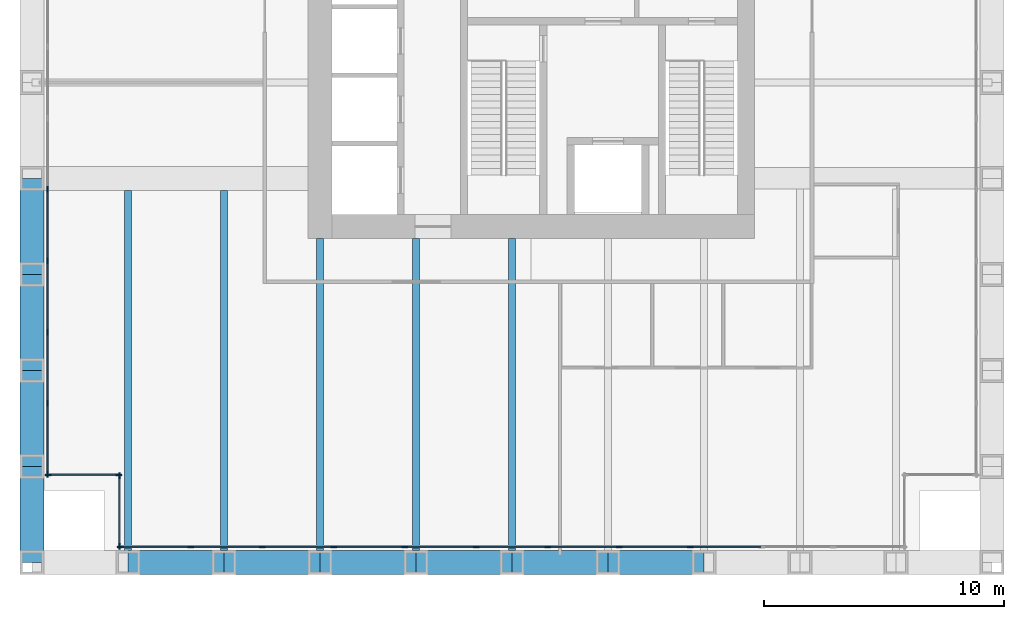
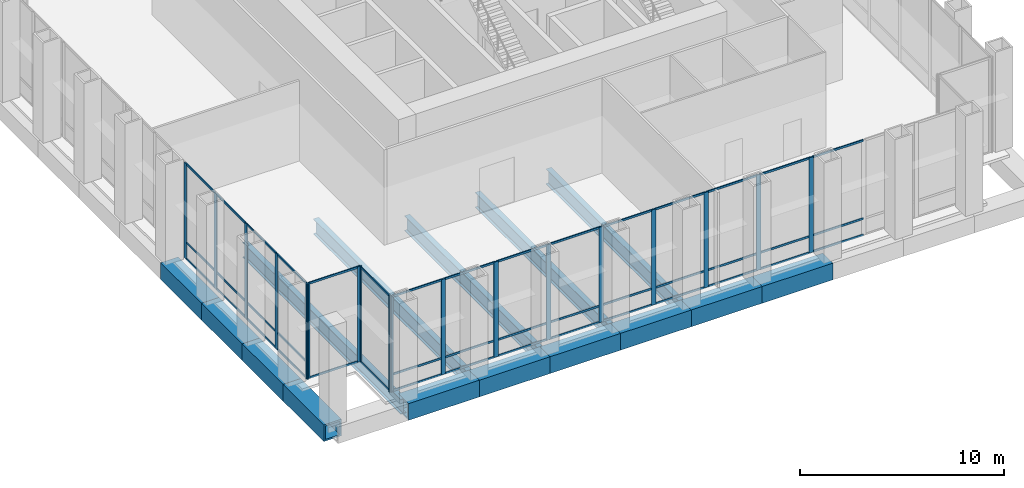
# One storey, part 2 of 12: 61 members, 15 beams, 4 elements without a shape of their own.
"""IFC4 building model written with IfcOpenShell, lengths in metres."""

import ifcopenshell
import ifcopenshell.guid

model = None  # the IFC model being written
_history = None  # IfcOwnerHistory: only IFC2X3 demands one
_inside = {}  # id of a spatial element -> (the spatial element, [elements in it])
_under = {}  # id of a project, library or spatial element -> (it, [spatial elements below it])
_declared = {}  # id of a project -> (the project, [libraries it declares])
_typed = {}  # id of a type object -> (the type object, [elements of that type])
_made_of = {}  # id of a material, layer set ... -> (it, [elements and type objects made of it])


def new_model(schema):
    """Start an empty IFC model of exactly this schema.

    Asked for "IFC4X3", IfcOpenShell would pick the latest addendum, in which some entities
    have other attributes; the version numbers below select the first issue.
    IFC2X3 requires an IfcOwnerHistory on every rooted entity: one is made here for all.
    """
    global model, _history
    if schema == "IFC4X3":
        model = ifcopenshell.file(schema_version=(4, 3, 0, 0))
    else:
        model = ifcopenshell.file(schema=schema)
    _inside.clear()
    _under.clear()
    _declared.clear()
    _typed.clear()
    _made_of.clear()
    _history = None
    if model.schema == "IFC2X3":
        org = make("IfcOrganization", Name="unknown")
        user = make(
            "IfcPersonAndOrganization",
            ThePerson=make("IfcPerson", FamilyName="unknown"),
            TheOrganization=org,
        )
        app = make(
            "IfcApplication",
            ApplicationDeveloper=org,
            Version="unknown",
            ApplicationFullName="unknown",
            ApplicationIdentifier="unknown",
        )
        _history = make(
            "IfcOwnerHistory",
            OwningUser=user,
            OwningApplication=app,
            ChangeAction="ADDED",
            CreationDate=0,
        )
    return model


def make(cls, **values):
    """One entity of the class cls with the attributes given. An attribute that is None is left unset."""
    return model.create_entity(
        cls, **{name: value for name, value in values.items() if value is not None}
    )


def rooted(cls, **values):
    """An entity with a GlobalId (a new one), such as an element, a storey or a relation."""
    return make(cls, GlobalId=ifcopenshell.guid.new(), OwnerHistory=_history, **values)


def si_unit(unit_type, name, prefix=None):
    """IfcSIUnit, for example si_unit("LENGTHUNIT", "METRE", prefix="MILLI")."""
    return make("IfcSIUnit", UnitType=unit_type, Prefix=prefix, Name=name)


def assignment(units):
    """IfcUnitAssignment: the units of a project."""
    return None if units is None else make("IfcUnitAssignment", Units=units)


def point(xyz):
    """IfcCartesianPoint."""
    return None if xyz is None else make("IfcCartesianPoint", Coordinates=xyz)


def direction(xyz):
    """IfcDirection."""
    return None if xyz is None else make("IfcDirection", DirectionRatios=xyz)


def frame(location, z_axis=None, x_axis=None):
    """IfcAxis2Placement3D, a coordinate frame: its origin and axes. An axis left out is left unset."""
    return make(
        "IfcAxis2Placement3D",
        Location=point(location),
        Axis=direction(z_axis),
        RefDirection=direction(x_axis),
    )


def frame_2d(location, x_axis=None):
    """IfcAxis2Placement2D, a coordinate frame in the plane: its origin and x axis."""
    return make(
        "IfcAxis2Placement2D", Location=point(location), RefDirection=direction(x_axis)
    )


def origin():
    """The frame at (0, 0, 0) with its axes left unset."""
    return frame((0.0, 0.0, 0.0))


def origin_2d():
    """The frame at (0, 0) in the plane with its x axis left unset."""
    return frame_2d((0.0, 0.0))


def place(relative_to, where):
    """IfcLocalPlacement: puts the frame where relative to a parent placement (None: the world)."""
    return make(
        "IfcLocalPlacement", PlacementRelTo=relative_to, RelativePlacement=where
    )


def context(
    kind, dimensions, precision=None, world=None, true_north=None, identifier=None
):
    """IfcGeometricRepresentationContext, for example the 3D "Model" context."""
    return make(
        "IfcGeometricRepresentationContext",
        ContextIdentifier=identifier,
        ContextType=kind,
        CoordinateSpaceDimension=dimensions,
        Precision=precision,
        WorldCoordinateSystem=world,
        TrueNorth=true_north,
    )


def subcontext(parent, identifier, kind, view, scale=None):
    """IfcGeometricRepresentationSubContext, for example "Body" below "Model"."""
    return make(
        "IfcGeometricRepresentationSubContext",
        ContextIdentifier=identifier,
        ContextType=kind,
        ParentContext=parent,
        TargetScale=scale,
        TargetView=view,
    )


def project(units=None, contexts=None):
    """IfcProject with its units and contexts."""
    return rooted(
        "IfcProject",
        Name="project",
        RepresentationContexts=contexts,
        UnitsInContext=assignment(units),
    )


def spatial(cls, under=None, at=None, **own):
    """A site, building, storey or space (cls), placed at a placement, below another one or the project."""
    s = rooted(cls, ObjectPlacement=at, **own)
    if under is not None:
        _under.setdefault(under.id(), (under, []))[1].append(s)
    return s


def profile(cls, at=None, kind="AREA", **sizes):
    """A parametric profile (cls). Its sizes go by their IFC names, for example OverallWidth=200.0."""
    return make(cls, ProfileType=kind, Position=at, **sizes)


def rectangle(**sizes):
    """IfcRectangleProfileDef."""
    return profile("IfcRectangleProfileDef", **sizes)


def hollow_rectangle(**sizes):
    """IfcRectangleHollowProfileDef."""
    return profile("IfcRectangleHollowProfileDef", **sizes)


def i_section(**sizes):
    """IfcIShapeProfileDef."""
    return profile("IfcIShapeProfileDef", **sizes)


def extrude(swept, where, along, depth):
    """IfcExtrudedAreaSolid: the profile swept, set in the frame where, extruded along a direction by depth."""
    return make(
        "IfcExtrudedAreaSolid",
        SweptArea=swept,
        Position=where,
        ExtrudedDirection=direction(along),
        Depth=depth,
    )


def shape(context_of_items, identifier, shape_type, items):
    """IfcShapeRepresentation: the items that make up one representation, for example the "Body"."""
    return make(
        "IfcShapeRepresentation",
        ContextOfItems=context_of_items,
        RepresentationIdentifier=identifier,
        RepresentationType=shape_type,
        Items=items,
    )


def material(Name=None, Category=None):
    """IfcMaterial."""
    return make("IfcMaterial", Name=Name, Category=Category)


def material_profile(
    of_material, cross_section, Name=None, Category=None, Priority=None
):
    """IfcMaterialProfile: a cross section and its material."""
    return make(
        "IfcMaterialProfile",
        Name=Name,
        Material=of_material,
        Profile=cross_section,
        Priority=Priority,
        Category=Category,
    )


def profile_set(profiles, Name=None, composite=None):
    """IfcMaterialProfileSet."""
    return make(
        "IfcMaterialProfileSet",
        Name=Name,
        MaterialProfiles=profiles,
        CompositeProfile=composite,
    )


def made_of(thing, what):
    """Note that an element or type object is made of a material, layer set ...; save() writes the relation."""
    if what is not None:
        _made_of.setdefault(what.id(), (what, []))[1].append(thing)
    return thing


def type_object(cls, material=None, **own):
    """A type object (cls), such as IfcWallType, which elements share."""
    return made_of(rooted(cls, **own), material)


def element(
    cls,
    number,
    at=None,
    inside=None,
    cuts=None,
    type_object=None,
    material=None,
    context=None,
    identifier="Body",
    shape_type=None,
    held_by="IfcProductDefinitionShape",
    body=None,
    shapes=None,
    **own,
):
    """One element of the class cls, such as IfcWall. Its Tag is "e" and its number.

    at: its placement. inside: the storey or other place that contains it. cuts: it is an
    opening in that element (IfcRelVoidsElement). A single representation is given by context,
    identifier, shape_type and body (its items); several are given by shapes. held_by: the class
    of the entity that holds the representations. save() writes the other relations.
    """
    e = rooted(cls, Tag="e%d" % number, ObjectPlacement=at, **own)
    if body is not None:
        shapes = [shape(context, identifier, shape_type, body)]
    if shapes is not None:
        e.Representation = make(held_by, Representations=shapes)
    if inside is not None:
        _inside.setdefault(inside.id(), (inside, []))[1].append(e)
    if cuts is not None:
        rooted(
            "IfcRelVoidsElement", RelatingBuildingElement=cuts, RelatedOpeningElement=e
        )
    if type_object is not None:
        _typed.setdefault(type_object.id(), (type_object, []))[1].append(e)
    return made_of(e, material)


def aggregate(whole, parts):
    """IfcRelAggregates: a whole, such as a stair, and the parts it consists of."""
    return rooted("IfcRelAggregates", RelatingObject=whole, RelatedObjects=parts)


def save(model, path):
    """Write the relations noted so far, then the file.

    IfcRelAggregates (storeys below a building ...), IfcRelContainedInSpatialStructure (elements
    in a storey), IfcRelDefinesByType, IfcRelAssociatesMaterial and IfcRelDeclares: one each for
    every whole, place, type object, material and project.
    """
    for whole, parts in _under.values():
        aggregate(whole, parts)
    for where, things in _inside.values():
        rooted(
            "IfcRelContainedInSpatialStructure",
            RelatedElements=things,
            RelatingStructure=where,
        )
    for kind, things in _typed.values():
        rooted("IfcRelDefinesByType", RelatedObjects=things, RelatingType=kind)
    for what, things in _made_of.values():
        rooted("IfcRelAssociatesMaterial", RelatedObjects=things, RelatingMaterial=what)
    for by, libraries in _declared.values():
        rooted("IfcRelDeclares", RelatingContext=by, RelatedDefinitions=libraries)
    model.write(path)


model = new_model("IFC4")

# Units and contexts
model_context = context("Model", 3, precision=1e-05, world=origin(), true_north=direction((0.0, 1.0)))
body_context = subcontext(model_context, "Body", "Model", "MODEL_VIEW")
ifc_project = project(units=[si_unit("LENGTHUNIT", "METRE"), si_unit("AREAUNIT", "SQUARE_METRE"), si_unit("VOLUMEUNIT", "CUBIC_METRE"), si_unit("PLANEANGLEUNIT", "RADIAN"), si_unit("MASSUNIT", "GRAM", prefix="KILO")], contexts=[model_context])

# Site, building, storey
site_placement = place(None, origin())
site = spatial("IfcSite", under=ifc_project, at=site_placement, CompositionType="ELEMENT")
building_placement = place(site_placement, origin())
building = spatial("IfcBuilding", under=site, at=building_placement, Name="Rimbunsela Tower", CompositionType="ELEMENT")
storey_placement = place(building_placement, frame((0.0, 0.0, 298.199951171875)))
storey = spatial("IfcBuildingStorey", under=building, at=storey_placement, Name="L72", CompositionType="ELEMENT", Elevation=298.199951171875)

# Beams
ifc_material_1 = material(Name="Steel BJ 55 (fy 410 MPa)", Category="steel")
ifc_material_profile_1 = material_profile(ifc_material_1, hollow_rectangle(XDim=1.0, YDim=1.0, WallThickness=0.10009765625, at=origin_2d()), Name="BOX 1000x1000x100")
ifc_profile_set_1 = profile_set([ifc_material_profile_1], Name="Steel BJ 55 (fy 410 MPa)")
beam_type_1 = type_object("IfcBeamType", Name="Beam BOX 1000x1000x100", PredefinedType="BEAM", material=ifc_profile_set_1)
for number, where, z_axis, x_axis, name in (
    (1, (6.0, 4.0, -0.64990234375), (0.0, 1.0, 0.0), (-1.0, 0.0, 0.0), "Beam B3 L72"),
    (2, (6.0, 8.0, -0.64990234375), (0.0, 1.0, 0.0), (-1.0, 0.0, 0.0), "Beam B3 L72"),
    (3, (6.0, 12.0, -0.64990234375), (0.0, 1.0, 0.0), (-1.0, 0.0, 0.0), "Beam B3 L72"),
    (4, (6.0, 16.0, -0.64990234375), (0.0, 1.0, 0.0), (-1.0, 0.0, 0.0), "Beam B3 L72"),
    (5, (10.0, 4.0, -0.64990234375), (1.0, 0.0, 0.0), (0.0, 1.0, 0.0), "Beam B3 L72"),
    (6, (14.0, 4.0, -0.64990234375), (1.0, 0.0, 0.0), (0.0, 1.0, 0.0), "Beam B3 L72"),
    (7, (18.0, 4.0, -0.64990234375), (1.0, 0.0, 0.0), (0.0, 1.0, 0.0), "Beam B3 L72"),
    (8, (22.0, 4.0, -0.64990234375), (1.0, 0.0, 0.0), (0.0, 1.0, 0.0), "Beam B3 L72"),
    (9, (26.0, 4.0, -0.64990234375), (1.0, 0.0, 0.0), (0.0, 1.0, 0.0), "Beam B3 L72"),
    (10, (30.0, 4.0, -0.64990234375), (1.0, 0.0, 0.0), (0.0, 1.0, 0.0), "Beam B3 L72"),
):
    element("IfcBeam", number, at=place(storey_placement, frame(where, z_axis=z_axis, x_axis=x_axis)), inside=storey, type_object=beam_type_1, Name=name, PredefinedType="BEAM", context=body_context, shape_type="SweptSolid", body=[
        extrude(hollow_rectangle(XDim=1.0, YDim=1.0, WallThickness=0.10009765625, at=origin_2d()), origin(), (0.0, 0.0, 1.0), 4.0),
    ])
ifc_material_2 = material(Name="Steel BJ 55 (fy 410 MPa)", Category="steel")
ifc_material_profile_2 = material_profile(ifc_material_2, i_section(OverallWidth=0.300048828125, OverallDepth=0.89990234375, WebThickness=0.01611328125, FlangeThickness=0.028076171875, FilletRadius=0.028076171875, at=origin_2d()), Name="H 900x300x16x28")
ifc_profile_set_2 = profile_set([ifc_material_profile_2], Name="Steel BJ 55 (fy 410 MPa)")
beam_type_2 = type_object("IfcBeamType", Name="Beam H 900x300x16x28", PredefinedType="BEAM", material=ifc_profile_set_2)
for number, where, z_axis, x_axis, name in (
    (11, (10.0, 4.0, -0.599853515625), (0.0, 1.0, 0.0), (-1.0, 0.0, 0.0), "Beam B2 L72"),
    (12, (14.0, 4.0, -0.599853515625), (0.0, 1.0, 0.0), (-1.0, 0.0, 0.0), "Beam B2 L72"),
):
    element("IfcBeam", number, at=place(storey_placement, frame(where, z_axis=z_axis, x_axis=x_axis)), inside=storey, type_object=beam_type_2, Name=name, PredefinedType="BEAM", context=body_context, shape_type="SweptSolid", body=[
        extrude(i_section(OverallWidth=0.300048828125, OverallDepth=0.89990234375, WebThickness=0.01611328125, FlangeThickness=0.028076171875, FilletRadius=0.028076171875, at=origin_2d()), origin(), (0.0, 0.0, 1.0), 15.5),
    ])
for number, where, z_axis, x_axis, name in (
    (13, (18.0, 4.0, -0.599853515625), (0.0, 1.0, 0.0), (-1.0, 0.0, 0.0), "Beam B2 L72"),
    (14, (22.0, 4.0, -0.599853515625), (0.0, 1.0, 0.0), (-1.0, 0.0, 0.0), "Beam B2 L72"),
    (15, (26.0, 4.0, -0.599853515625), (0.0, 1.0, 0.0), (-1.0, 0.0, 0.0), "Beam B2 L72"),
):
    element("IfcBeam", number, at=place(storey_placement, frame(where, z_axis=z_axis, x_axis=x_axis)), inside=storey, type_object=beam_type_2, Name=name, PredefinedType="BEAM", context=body_context, shape_type="SweptSolid", body=[
        extrude(i_section(OverallWidth=0.300048828125, OverallDepth=0.89990234375, WebThickness=0.01611328125, FlangeThickness=0.028076171875, FilletRadius=0.028076171875, at=origin_2d()), origin(), (0.0, 0.0, 1.0), 13.5),
    ])

# Curtain wall, members
ifc_material_3 = material(Name="Aluminium curtain wall", Category="aluminium")
curtain_wall_type_1 = type_object("IfcCurtainWallType", Name="Crown glazing", PredefinedType="USERDEFINED", material=ifc_material_3)
curtain_wall_1_placement = place(storey_placement, origin())
curtain_wall_1 = element("IfcCurtainWall", 16, at=curtain_wall_1_placement, inside=storey, type_object=curtain_wall_type_1, Name="Crown glazing L72", ObjectType="CROWN GLAZING", PredefinedType="USERDEFINED")
ifc_material_4 = material(Name="Aluminium mullion", Category="aluminium")
ifc_material_profile_3 = material_profile(ifc_material_4, rectangle(XDim=0.06005859375, YDim=0.25, at=origin_2d()), Name="Mullion 60x250")
ifc_profile_set_3 = profile_set([ifc_material_profile_3], Name="Aluminium mullion")
member_type_1 = type_object("IfcMemberType", Name="Curtain wall mullion 60x250", PredefinedType="MULLION", material=ifc_profile_set_3)
member_1_placement = place(storey_placement, frame((6.64990234375, 19.541015625, 0.0), z_axis=(0.0, 0.0, 1.0), x_axis=(1.0, 0.0, 0.0)))
member_1 = element("IfcMember", 17, at=member_1_placement, type_object=member_type_1, Name="CW6 mullion 8", PredefinedType="MULLION", context=body_context, shape_type="SweptSolid", body=[
    extrude(rectangle(XDim=0.06005859375, YDim=0.25, at=origin_2d()), origin(), (0.0, 0.0, 1.0), 5.699951171875),
])
member_2_placement = place(storey_placement, frame((6.64990234375, 16.568115234375, 0.0), z_axis=(0.0, 0.0, 1.0), x_axis=(1.0, 0.0, 0.0)))
member_2 = element("IfcMember", 18, at=member_2_placement, type_object=member_type_1, Name="CW6 mullion 9", PredefinedType="MULLION", context=body_context, shape_type="SweptSolid", body=[
    extrude(rectangle(XDim=0.06005859375, YDim=0.25, at=origin_2d()), origin(), (0.0, 0.0, 1.0), 5.699951171875),
])
member_3_placement = place(storey_placement, frame((6.64990234375, 13.595458984375, 0.0), z_axis=(0.0, 0.0, 1.0), x_axis=(1.0, 0.0, 0.0)))
member_3 = element("IfcMember", 19, at=member_3_placement, type_object=member_type_1, Name="CW6 mullion 10", PredefinedType="MULLION", context=body_context, shape_type="SweptSolid", body=[
    extrude(rectangle(XDim=0.06005859375, YDim=0.25, at=origin_2d()), origin(), (0.0, 0.0, 1.0), 5.699951171875),
])
member_4_placement = place(storey_placement, frame((6.64990234375, 10.622802734375, 0.0), z_axis=(0.0, 0.0, 1.0), x_axis=(1.0, 0.0, 0.0)))
member_4 = element("IfcMember", 20, at=member_4_placement, type_object=member_type_1, Name="CW6 mullion 11", PredefinedType="MULLION", context=body_context, shape_type="SweptSolid", body=[
    extrude(rectangle(XDim=0.06005859375, YDim=0.25, at=origin_2d()), origin(), (0.0, 0.0, 1.0), 5.699951171875),
])
member_5_placement = place(storey_placement, frame((6.64990234375, 7.679931640625, 0.0), z_axis=(0.0, 0.0, 1.0), x_axis=(1.0, 0.0, 0.0)))
member_5 = element("IfcMember", 21, at=member_5_placement, type_object=member_type_1, Name="CW6 mullion 12", PredefinedType="MULLION", context=body_context, shape_type="SweptSolid", body=[
    extrude(rectangle(XDim=0.06005859375, YDim=0.25, at=origin_2d()), origin(), (0.0, 0.0, 1.0), 5.699951171875),
])

ifc_material_5 = material(Name="Aluminium curtain wall", Category="aluminium")
curtain_wall_type_2 = type_object("IfcCurtainWallType", Name="Corner glazing", PredefinedType="USERDEFINED", material=ifc_material_5)
curtain_wall_2_placement = place(storey_placement, origin())
curtain_wall_2 = element("IfcCurtainWall", 22, at=curtain_wall_2_placement, inside=storey, type_object=curtain_wall_type_2, Name="Corner glazing L72", ObjectType="CORNER GLAZING", PredefinedType="USERDEFINED")
member_6_placement = place(storey_placement, frame((6.679931640625, 7.64990234375, 0.0), z_axis=(0.0, 0.0, 1.0), x_axis=(0.0, 1.0, 0.0)))
member_6 = element("IfcMember", 23, at=member_6_placement, type_object=member_type_1, Name="CW5 mullion 1", PredefinedType="MULLION", context=body_context, shape_type="SweptSolid", body=[
    extrude(rectangle(XDim=0.06005859375, YDim=0.25, at=origin_2d()), origin(), (0.0, 0.0, 1.0), 5.699951171875),
])
member_7_placement = place(storey_placement, frame((9.6201171875, 7.64990234375, 0.0), z_axis=(0.0, 0.0, 1.0), x_axis=(0.0, 1.0, 0.0)))
member_7 = element("IfcMember", 24, at=member_7_placement, type_object=member_type_1, Name="CW5 mullion 2", PredefinedType="MULLION", context=body_context, shape_type="SweptSolid", body=[
    extrude(rectangle(XDim=0.06005859375, YDim=0.25, at=origin_2d()), origin(), (0.0, 0.0, 1.0), 5.699951171875),
])

curtain_wall_3_placement = place(storey_placement, origin())
curtain_wall_3 = element("IfcCurtainWall", 25, at=curtain_wall_3_placement, inside=storey, type_object=curtain_wall_type_2, Name="Corner glazing L72", ObjectType="CORNER GLAZING", PredefinedType="USERDEFINED")
member_8_placement = place(storey_placement, frame((9.64990234375, 7.6201171875, 0.0), z_axis=(0.0, 0.0, 1.0), x_axis=(1.0, 0.0, 0.0)))
member_8 = element("IfcMember", 26, at=member_8_placement, type_object=member_type_1, Name="CW5 mullion 1", PredefinedType="MULLION", context=body_context, shape_type="SweptSolid", body=[
    extrude(rectangle(XDim=0.06005859375, YDim=0.25, at=origin_2d()), origin(), (0.0, 0.0, 1.0), 5.699951171875),
])
member_9_placement = place(storey_placement, frame((9.64990234375, 4.679931640625, 0.0), z_axis=(0.0, 0.0, 1.0), x_axis=(1.0, 0.0, 0.0)))
member_9 = element("IfcMember", 27, at=member_9_placement, type_object=member_type_1, Name="CW5 mullion 2", PredefinedType="MULLION", context=body_context, shape_type="SweptSolid", body=[
    extrude(rectangle(XDim=0.06005859375, YDim=0.25, at=origin_2d()), origin(), (0.0, 0.0, 1.0), 5.699951171875),
])

curtain_wall_4_placement = place(storey_placement, origin())
curtain_wall_4 = element("IfcCurtainWall", 28, at=curtain_wall_4_placement, inside=storey, type_object=curtain_wall_type_1, Name="Crown glazing L72", ObjectType="CROWN GLAZING", PredefinedType="USERDEFINED")
member_10_placement = place(storey_placement, frame((9.679931640625, 4.64990234375, 0.0), z_axis=(0.0, 0.0, 1.0), x_axis=(0.0, 1.0, 0.0)))
member_10 = element("IfcMember", 29, at=member_10_placement, type_object=member_type_1, Name="CW6 mullion 1", PredefinedType="MULLION", context=body_context, shape_type="SweptSolid", body=[
    extrude(rectangle(XDim=0.06005859375, YDim=0.25, at=origin_2d()), origin(), (0.0, 0.0, 1.0), 5.699951171875),
])
member_11_placement = place(storey_placement, frame((12.622802734375, 4.64990234375, 0.0), z_axis=(0.0, 0.0, 1.0), x_axis=(0.0, 1.0, 0.0)))
member_11 = element("IfcMember", 30, at=member_11_placement, type_object=member_type_1, Name="CW6 mullion 2", PredefinedType="MULLION", context=body_context, shape_type="SweptSolid", body=[
    extrude(rectangle(XDim=0.06005859375, YDim=0.25, at=origin_2d()), origin(), (0.0, 0.0, 1.0), 5.699951171875),
])
member_12_placement = place(storey_placement, frame((15.595458984375, 4.64990234375, 0.0), z_axis=(0.0, 0.0, 1.0), x_axis=(0.0, 1.0, 0.0)))
member_12 = element("IfcMember", 31, at=member_12_placement, type_object=member_type_1, Name="CW6 mullion 3", PredefinedType="MULLION", context=body_context, shape_type="SweptSolid", body=[
    extrude(rectangle(XDim=0.06005859375, YDim=0.25, at=origin_2d()), origin(), (0.0, 0.0, 1.0), 5.699951171875),
])
member_13_placement = place(storey_placement, frame((18.568115234375, 4.64990234375, 0.0), z_axis=(0.0, 0.0, 1.0), x_axis=(0.0, 1.0, 0.0)))
member_13 = element("IfcMember", 32, at=member_13_placement, type_object=member_type_1, Name="CW6 mullion 4", PredefinedType="MULLION", context=body_context, shape_type="SweptSolid", body=[
    extrude(rectangle(XDim=0.06005859375, YDim=0.25, at=origin_2d()), origin(), (0.0, 0.0, 1.0), 5.699951171875),
])
member_14_placement = place(storey_placement, frame((21.541015625, 4.64990234375, 0.0), z_axis=(0.0, 0.0, 1.0), x_axis=(0.0, 1.0, 0.0)))
member_14 = element("IfcMember", 33, at=member_14_placement, type_object=member_type_1, Name="CW6 mullion 5", PredefinedType="MULLION", context=body_context, shape_type="SweptSolid", body=[
    extrude(rectangle(XDim=0.06005859375, YDim=0.25, at=origin_2d()), origin(), (0.0, 0.0, 1.0), 5.699951171875),
])
member_15_placement = place(storey_placement, frame((24.513671875, 4.64990234375, 0.0), z_axis=(0.0, 0.0, 1.0), x_axis=(0.0, 1.0, 0.0)))
member_15 = element("IfcMember", 34, at=member_15_placement, type_object=member_type_1, Name="CW6 mullion 6", PredefinedType="MULLION", context=body_context, shape_type="SweptSolid", body=[
    extrude(rectangle(XDim=0.06005859375, YDim=0.25, at=origin_2d()), origin(), (0.0, 0.0, 1.0), 5.699951171875),
])
member_16_placement = place(storey_placement, frame((27.486328125, 4.64990234375, 0.0), z_axis=(0.0, 0.0, 1.0), x_axis=(0.0, 1.0, 0.0)))
member_16 = element("IfcMember", 35, at=member_16_placement, type_object=member_type_1, Name="CW6 mullion 7", PredefinedType="MULLION", context=body_context, shape_type="SweptSolid", body=[
    extrude(rectangle(XDim=0.06005859375, YDim=0.25, at=origin_2d()), origin(), (0.0, 0.0, 1.0), 5.699951171875),
])
member_17_placement = place(storey_placement, frame((30.458984375, 4.64990234375, 0.0), z_axis=(0.0, 0.0, 1.0), x_axis=(0.0, 1.0, 0.0)))
member_17 = element("IfcMember", 36, at=member_17_placement, type_object=member_type_1, Name="CW6 mullion 8", PredefinedType="MULLION", context=body_context, shape_type="SweptSolid", body=[
    extrude(rectangle(XDim=0.06005859375, YDim=0.25, at=origin_2d()), origin(), (0.0, 0.0, 1.0), 5.699951171875),
])
member_18_placement = place(storey_placement, frame((33.431884765625, 4.64990234375, 0.0), z_axis=(0.0, 0.0, 1.0), x_axis=(0.0, 1.0, 0.0)))
member_18 = element("IfcMember", 37, at=member_18_placement, type_object=member_type_1, Name="CW6 mullion 9", PredefinedType="MULLION", context=body_context, shape_type="SweptSolid", body=[
    extrude(rectangle(XDim=0.06005859375, YDim=0.25, at=origin_2d()), origin(), (0.0, 0.0, 1.0), 5.699951171875),
])

# Member
ifc_material_6 = material(Name="Aluminium transom", Category="aluminium")
ifc_material_profile_4 = material_profile(ifc_material_6, rectangle(XDim=0.06005859375, YDim=0.1201171875, at=origin_2d()), Name="Transom 60x120")
ifc_profile_set_4 = profile_set([ifc_material_profile_4], Name="Aluminium transom")
member_type_2 = type_object("IfcMemberType", Name="Curtain wall transom 60x120", PredefinedType="USERDEFINED", material=ifc_profile_set_4)
member_19_placement = place(storey_placement, frame((6.64990234375, 19.510986328125, 0.030029296875), z_axis=(0.0, -1.0, 0.0), x_axis=(1.0, 0.0, 0.0)))
member_19 = element("IfcMember", 38, at=member_19_placement, type_object=member_type_2, Name="CW6 transom 8.1", ObjectType="TRANSOM", PredefinedType="USERDEFINED", context=body_context, shape_type="SweptSolid", body=[
    extrude(rectangle(XDim=0.06005859375, YDim=0.1201171875, at=origin_2d()), origin(), (0.0, 0.0, 1.0), 2.912841796875),
])

member_20_placement = place(storey_placement, frame((6.64990234375, 19.510986328125, 1.0), z_axis=(0.0, -1.0, 0.0), x_axis=(1.0, 0.0, 0.0)))
member_20 = element("IfcMember", 39, at=member_20_placement, type_object=member_type_2, Name="CW6 transom 8.2", ObjectType="TRANSOM", PredefinedType="USERDEFINED", context=body_context, shape_type="SweptSolid", body=[
    extrude(rectangle(XDim=0.06005859375, YDim=0.1201171875, at=origin_2d()), origin(), (0.0, 0.0, 1.0), 2.912841796875),
])

member_21_placement = place(storey_placement, frame((6.64990234375, 19.510986328125, 5.670166015625), z_axis=(0.0, -1.0, 0.0), x_axis=(1.0, 0.0, 0.0)))
member_21 = element("IfcMember", 40, at=member_21_placement, type_object=member_type_2, Name="CW6 transom 8.3", ObjectType="TRANSOM", PredefinedType="USERDEFINED", context=body_context, shape_type="SweptSolid", body=[
    extrude(rectangle(XDim=0.06005859375, YDim=0.1201171875, at=origin_2d()), origin(), (0.0, 0.0, 1.0), 2.912841796875),
])

member_22_placement = place(storey_placement, frame((6.64990234375, 16.5380859375, 0.030029296875), z_axis=(0.0, -1.0, 0.0), x_axis=(1.0, 0.0, 0.0)))
member_22 = element("IfcMember", 41, at=member_22_placement, type_object=member_type_2, Name="CW6 transom 9.1", ObjectType="TRANSOM", PredefinedType="USERDEFINED", context=body_context, shape_type="SweptSolid", body=[
    extrude(rectangle(XDim=0.06005859375, YDim=0.1201171875, at=origin_2d()), origin(), (0.0, 0.0, 1.0), 2.91259765625),
])

member_23_placement = place(storey_placement, frame((6.64990234375, 16.5380859375, 1.0), z_axis=(0.0, -1.0, 0.0), x_axis=(1.0, 0.0, 0.0)))
member_23 = element("IfcMember", 42, at=member_23_placement, type_object=member_type_2, Name="CW6 transom 9.2", ObjectType="TRANSOM", PredefinedType="USERDEFINED", context=body_context, shape_type="SweptSolid", body=[
    extrude(rectangle(XDim=0.06005859375, YDim=0.1201171875, at=origin_2d()), origin(), (0.0, 0.0, 1.0), 2.91259765625),
])

member_24_placement = place(storey_placement, frame((6.64990234375, 16.5380859375, 5.670166015625), z_axis=(0.0, -1.0, 0.0), x_axis=(1.0, 0.0, 0.0)))
member_24 = element("IfcMember", 43, at=member_24_placement, type_object=member_type_2, Name="CW6 transom 9.3", ObjectType="TRANSOM", PredefinedType="USERDEFINED", context=body_context, shape_type="SweptSolid", body=[
    extrude(rectangle(XDim=0.06005859375, YDim=0.1201171875, at=origin_2d()), origin(), (0.0, 0.0, 1.0), 2.91259765625),
])

member_25_placement = place(storey_placement, frame((6.64990234375, 13.5654296875, 0.030029296875), z_axis=(0.0, -1.0, 0.0), x_axis=(1.0, 0.0, 0.0)))
member_25 = element("IfcMember", 44, at=member_25_placement, type_object=member_type_2, Name="CW6 transom 10.1", ObjectType="TRANSOM", PredefinedType="USERDEFINED", context=body_context, shape_type="SweptSolid", body=[
    extrude(rectangle(XDim=0.06005859375, YDim=0.1201171875, at=origin_2d()), origin(), (0.0, 0.0, 1.0), 2.91259765625),
])

member_26_placement = place(storey_placement, frame((6.64990234375, 13.5654296875, 1.0), z_axis=(0.0, -1.0, 0.0), x_axis=(1.0, 0.0, 0.0)))
member_26 = element("IfcMember", 45, at=member_26_placement, type_object=member_type_2, Name="CW6 transom 10.2", ObjectType="TRANSOM", PredefinedType="USERDEFINED", context=body_context, shape_type="SweptSolid", body=[
    extrude(rectangle(XDim=0.06005859375, YDim=0.1201171875, at=origin_2d()), origin(), (0.0, 0.0, 1.0), 2.91259765625),
])

member_27_placement = place(storey_placement, frame((6.64990234375, 13.5654296875, 5.670166015625), z_axis=(0.0, -1.0, 0.0), x_axis=(1.0, 0.0, 0.0)))
member_27 = element("IfcMember", 46, at=member_27_placement, type_object=member_type_2, Name="CW6 transom 10.3", ObjectType="TRANSOM", PredefinedType="USERDEFINED", context=body_context, shape_type="SweptSolid", body=[
    extrude(rectangle(XDim=0.06005859375, YDim=0.1201171875, at=origin_2d()), origin(), (0.0, 0.0, 1.0), 2.91259765625),
])

member_28_placement = place(storey_placement, frame((6.64990234375, 10.5927734375, 0.030029296875), z_axis=(0.0, -1.0, 0.0), x_axis=(1.0, 0.0, 0.0)))
member_28 = element("IfcMember", 47, at=member_28_placement, type_object=member_type_2, Name="CW6 transom 11.1", ObjectType="TRANSOM", PredefinedType="USERDEFINED", context=body_context, shape_type="SweptSolid", body=[
    extrude(rectangle(XDim=0.06005859375, YDim=0.1201171875, at=origin_2d()), origin(), (0.0, 0.0, 1.0), 2.8828125),
])

member_29_placement = place(storey_placement, frame((6.64990234375, 10.5927734375, 1.0), z_axis=(0.0, -1.0, 0.0), x_axis=(1.0, 0.0, 0.0)))
member_29 = element("IfcMember", 48, at=member_29_placement, type_object=member_type_2, Name="CW6 transom 11.2", ObjectType="TRANSOM", PredefinedType="USERDEFINED", context=body_context, shape_type="SweptSolid", body=[
    extrude(rectangle(XDim=0.06005859375, YDim=0.1201171875, at=origin_2d()), origin(), (0.0, 0.0, 1.0), 2.8828125),
])

member_30_placement = place(storey_placement, frame((6.64990234375, 10.5927734375, 5.670166015625), z_axis=(0.0, -1.0, 0.0), x_axis=(1.0, 0.0, 0.0)))
member_30 = element("IfcMember", 49, at=member_30_placement, type_object=member_type_2, Name="CW6 transom 11.3", ObjectType="TRANSOM", PredefinedType="USERDEFINED", context=body_context, shape_type="SweptSolid", body=[
    extrude(rectangle(XDim=0.06005859375, YDim=0.1201171875, at=origin_2d()), origin(), (0.0, 0.0, 1.0), 2.8828125),
])

aggregate(curtain_wall_1, [member_1, member_2, member_3, member_4, member_5, member_19, member_20, member_21, member_22, member_23, member_24, member_25, member_26, member_27, member_28, member_29, member_30])

member_31_placement = place(storey_placement, frame((6.7099609375, 7.64990234375, 0.030029296875), z_axis=(1.0, 0.0, 0.0), x_axis=(0.0, 1.0, 0.0)))
member_31 = element("IfcMember", 50, at=member_31_placement, type_object=member_type_2, Name="CW5 transom 1.1", ObjectType="TRANSOM", PredefinedType="USERDEFINED", context=body_context, shape_type="SweptSolid", body=[
    extrude(rectangle(XDim=0.06005859375, YDim=0.1201171875, at=origin_2d()), origin(), (0.0, 0.0, 1.0), 2.880126953125),
])

member_32_placement = place(storey_placement, frame((6.7099609375, 7.64990234375, 5.670166015625), z_axis=(1.0, 0.0, 0.0), x_axis=(0.0, 1.0, 0.0)))
member_32 = element("IfcMember", 51, at=member_32_placement, type_object=member_type_2, Name="CW5 transom 1.2", ObjectType="TRANSOM", PredefinedType="USERDEFINED", context=body_context, shape_type="SweptSolid", body=[
    extrude(rectangle(XDim=0.06005859375, YDim=0.1201171875, at=origin_2d()), origin(), (0.0, 0.0, 1.0), 2.880126953125),
])

aggregate(curtain_wall_2, [member_6, member_7, member_31, member_32])

member_33_placement = place(storey_placement, frame((9.64990234375, 7.590087890625, 0.030029296875), z_axis=(0.0, -1.0, 0.0), x_axis=(1.0, 0.0, 0.0)))
member_33 = element("IfcMember", 52, at=member_33_placement, type_object=member_type_2, Name="CW5 transom 1.1", ObjectType="TRANSOM", PredefinedType="USERDEFINED", context=body_context, shape_type="SweptSolid", body=[
    extrude(rectangle(XDim=0.06005859375, YDim=0.1201171875, at=origin_2d()), origin(), (0.0, 0.0, 1.0), 2.880126953125),
])

member_34_placement = place(storey_placement, frame((9.64990234375, 7.590087890625, 5.670166015625), z_axis=(0.0, -1.0, 0.0), x_axis=(1.0, 0.0, 0.0)))
member_34 = element("IfcMember", 53, at=member_34_placement, type_object=member_type_2, Name="CW5 transom 1.2", ObjectType="TRANSOM", PredefinedType="USERDEFINED", context=body_context, shape_type="SweptSolid", body=[
    extrude(rectangle(XDim=0.06005859375, YDim=0.1201171875, at=origin_2d()), origin(), (0.0, 0.0, 1.0), 2.880126953125),
])

aggregate(curtain_wall_3, [member_8, member_9, member_33, member_34])

member_35_placement = place(storey_placement, frame((9.7099609375, 4.64990234375, 0.030029296875), z_axis=(1.0, 0.0, 0.0), x_axis=(0.0, 1.0, 0.0)))
member_35 = element("IfcMember", 54, at=member_35_placement, type_object=member_type_2, Name="CW6 transom 1.1", ObjectType="TRANSOM", PredefinedType="USERDEFINED", context=body_context, shape_type="SweptSolid", body=[
    extrude(rectangle(XDim=0.06005859375, YDim=0.1201171875, at=origin_2d()), origin(), (0.0, 0.0, 1.0), 2.8828125),
])

member_36_placement = place(storey_placement, frame((9.7099609375, 4.64990234375, 1.0), z_axis=(1.0, 0.0, 0.0), x_axis=(0.0, 1.0, 0.0)))
member_36 = element("IfcMember", 55, at=member_36_placement, type_object=member_type_2, Name="CW6 transom 1.2", ObjectType="TRANSOM", PredefinedType="USERDEFINED", context=body_context, shape_type="SweptSolid", body=[
    extrude(rectangle(XDim=0.06005859375, YDim=0.1201171875, at=origin_2d()), origin(), (0.0, 0.0, 1.0), 2.8828125),
])

member_37_placement = place(storey_placement, frame((9.7099609375, 4.64990234375, 5.670166015625), z_axis=(1.0, 0.0, 0.0), x_axis=(0.0, 1.0, 0.0)))
member_37 = element("IfcMember", 56, at=member_37_placement, type_object=member_type_2, Name="CW6 transom 1.3", ObjectType="TRANSOM", PredefinedType="USERDEFINED", context=body_context, shape_type="SweptSolid", body=[
    extrude(rectangle(XDim=0.06005859375, YDim=0.1201171875, at=origin_2d()), origin(), (0.0, 0.0, 1.0), 2.8828125),
])

member_38_placement = place(storey_placement, frame((12.65283203125, 4.64990234375, 0.030029296875), z_axis=(1.0, 0.0, 0.0), x_axis=(0.0, 1.0, 0.0)))
member_38 = element("IfcMember", 57, at=member_38_placement, type_object=member_type_2, Name="CW6 transom 2.1", ObjectType="TRANSOM", PredefinedType="USERDEFINED", context=body_context, shape_type="SweptSolid", body=[
    extrude(rectangle(XDim=0.06005859375, YDim=0.1201171875, at=origin_2d()), origin(), (0.0, 0.0, 1.0), 2.91259765625),
])

member_39_placement = place(storey_placement, frame((12.65283203125, 4.64990234375, 1.0), z_axis=(1.0, 0.0, 0.0), x_axis=(0.0, 1.0, 0.0)))
member_39 = element("IfcMember", 58, at=member_39_placement, type_object=member_type_2, Name="CW6 transom 2.2", ObjectType="TRANSOM", PredefinedType="USERDEFINED", context=body_context, shape_type="SweptSolid", body=[
    extrude(rectangle(XDim=0.06005859375, YDim=0.1201171875, at=origin_2d()), origin(), (0.0, 0.0, 1.0), 2.91259765625),
])

member_40_placement = place(storey_placement, frame((12.65283203125, 4.64990234375, 5.670166015625), z_axis=(1.0, 0.0, 0.0), x_axis=(0.0, 1.0, 0.0)))
member_40 = element("IfcMember", 59, at=member_40_placement, type_object=member_type_2, Name="CW6 transom 2.3", ObjectType="TRANSOM", PredefinedType="USERDEFINED", context=body_context, shape_type="SweptSolid", body=[
    extrude(rectangle(XDim=0.06005859375, YDim=0.1201171875, at=origin_2d()), origin(), (0.0, 0.0, 1.0), 2.91259765625),
])

member_41_placement = place(storey_placement, frame((15.62548828125, 4.64990234375, 0.030029296875), z_axis=(1.0, 0.0, 0.0), x_axis=(0.0, 1.0, 0.0)))
member_41 = element("IfcMember", 60, at=member_41_placement, type_object=member_type_2, Name="CW6 transom 3.1", ObjectType="TRANSOM", PredefinedType="USERDEFINED", context=body_context, shape_type="SweptSolid", body=[
    extrude(rectangle(XDim=0.06005859375, YDim=0.1201171875, at=origin_2d()), origin(), (0.0, 0.0, 1.0), 2.91259765625),
])

member_42_placement = place(storey_placement, frame((15.62548828125, 4.64990234375, 1.0), z_axis=(1.0, 0.0, 0.0), x_axis=(0.0, 1.0, 0.0)))
member_42 = element("IfcMember", 61, at=member_42_placement, type_object=member_type_2, Name="CW6 transom 3.2", ObjectType="TRANSOM", PredefinedType="USERDEFINED", context=body_context, shape_type="SweptSolid", body=[
    extrude(rectangle(XDim=0.06005859375, YDim=0.1201171875, at=origin_2d()), origin(), (0.0, 0.0, 1.0), 2.91259765625),
])

member_43_placement = place(storey_placement, frame((15.62548828125, 4.64990234375, 5.670166015625), z_axis=(1.0, 0.0, 0.0), x_axis=(0.0, 1.0, 0.0)))
member_43 = element("IfcMember", 62, at=member_43_placement, type_object=member_type_2, Name="CW6 transom 3.3", ObjectType="TRANSOM", PredefinedType="USERDEFINED", context=body_context, shape_type="SweptSolid", body=[
    extrude(rectangle(XDim=0.06005859375, YDim=0.1201171875, at=origin_2d()), origin(), (0.0, 0.0, 1.0), 2.91259765625),
])

member_44_placement = place(storey_placement, frame((18.59814453125, 4.64990234375, 0.030029296875), z_axis=(1.0, 0.0, 0.0), x_axis=(0.0, 1.0, 0.0)))
member_44 = element("IfcMember", 63, at=member_44_placement, type_object=member_type_2, Name="CW6 transom 4.1", ObjectType="TRANSOM", PredefinedType="USERDEFINED", context=body_context, shape_type="SweptSolid", body=[
    extrude(rectangle(XDim=0.06005859375, YDim=0.1201171875, at=origin_2d()), origin(), (0.0, 0.0, 1.0), 2.912841796875),
])

member_45_placement = place(storey_placement, frame((18.59814453125, 4.64990234375, 1.0), z_axis=(1.0, 0.0, 0.0), x_axis=(0.0, 1.0, 0.0)))
member_45 = element("IfcMember", 64, at=member_45_placement, type_object=member_type_2, Name="CW6 transom 4.2", ObjectType="TRANSOM", PredefinedType="USERDEFINED", context=body_context, shape_type="SweptSolid", body=[
    extrude(rectangle(XDim=0.06005859375, YDim=0.1201171875, at=origin_2d()), origin(), (0.0, 0.0, 1.0), 2.912841796875),
])

member_46_placement = place(storey_placement, frame((18.59814453125, 4.64990234375, 5.670166015625), z_axis=(1.0, 0.0, 0.0), x_axis=(0.0, 1.0, 0.0)))
member_46 = element("IfcMember", 65, at=member_46_placement, type_object=member_type_2, Name="CW6 transom 4.3", ObjectType="TRANSOM", PredefinedType="USERDEFINED", context=body_context, shape_type="SweptSolid", body=[
    extrude(rectangle(XDim=0.06005859375, YDim=0.1201171875, at=origin_2d()), origin(), (0.0, 0.0, 1.0), 2.912841796875),
])

member_47_placement = place(storey_placement, frame((21.57080078125, 4.64990234375, 0.030029296875), z_axis=(1.0, 0.0, 0.0), x_axis=(0.0, 1.0, 0.0)))
member_47 = element("IfcMember", 66, at=member_47_placement, type_object=member_type_2, Name="CW6 transom 5.1", ObjectType="TRANSOM", PredefinedType="USERDEFINED", context=body_context, shape_type="SweptSolid", body=[
    extrude(rectangle(XDim=0.06005859375, YDim=0.1201171875, at=origin_2d()), origin(), (0.0, 0.0, 1.0), 2.912841796875),
])

member_48_placement = place(storey_placement, frame((21.57080078125, 4.64990234375, 1.0), z_axis=(1.0, 0.0, 0.0), x_axis=(0.0, 1.0, 0.0)))
member_48 = element("IfcMember", 67, at=member_48_placement, type_object=member_type_2, Name="CW6 transom 5.2", ObjectType="TRANSOM", PredefinedType="USERDEFINED", context=body_context, shape_type="SweptSolid", body=[
    extrude(rectangle(XDim=0.06005859375, YDim=0.1201171875, at=origin_2d()), origin(), (0.0, 0.0, 1.0), 2.912841796875),
])

member_49_placement = place(storey_placement, frame((21.57080078125, 4.64990234375, 5.670166015625), z_axis=(1.0, 0.0, 0.0), x_axis=(0.0, 1.0, 0.0)))
member_49 = element("IfcMember", 68, at=member_49_placement, type_object=member_type_2, Name="CW6 transom 5.3", ObjectType="TRANSOM", PredefinedType="USERDEFINED", context=body_context, shape_type="SweptSolid", body=[
    extrude(rectangle(XDim=0.06005859375, YDim=0.1201171875, at=origin_2d()), origin(), (0.0, 0.0, 1.0), 2.912841796875),
])

member_50_placement = place(storey_placement, frame((24.543701171875, 4.64990234375, 0.030029296875), z_axis=(1.0, 0.0, 0.0), x_axis=(0.0, 1.0, 0.0)))
member_50 = element("IfcMember", 69, at=member_50_placement, type_object=member_type_2, Name="CW6 transom 6.1", ObjectType="TRANSOM", PredefinedType="USERDEFINED", context=body_context, shape_type="SweptSolid", body=[
    extrude(rectangle(XDim=0.06005859375, YDim=0.1201171875, at=origin_2d()), origin(), (0.0, 0.0, 1.0), 2.91259765625),
])

member_51_placement = place(storey_placement, frame((24.543701171875, 4.64990234375, 1.0), z_axis=(1.0, 0.0, 0.0), x_axis=(0.0, 1.0, 0.0)))
member_51 = element("IfcMember", 70, at=member_51_placement, type_object=member_type_2, Name="CW6 transom 6.2", ObjectType="TRANSOM", PredefinedType="USERDEFINED", context=body_context, shape_type="SweptSolid", body=[
    extrude(rectangle(XDim=0.06005859375, YDim=0.1201171875, at=origin_2d()), origin(), (0.0, 0.0, 1.0), 2.91259765625),
])

member_52_placement = place(storey_placement, frame((24.543701171875, 4.64990234375, 5.670166015625), z_axis=(1.0, 0.0, 0.0), x_axis=(0.0, 1.0, 0.0)))
member_52 = element("IfcMember", 71, at=member_52_placement, type_object=member_type_2, Name="CW6 transom 6.3", ObjectType="TRANSOM", PredefinedType="USERDEFINED", context=body_context, shape_type="SweptSolid", body=[
    extrude(rectangle(XDim=0.06005859375, YDim=0.1201171875, at=origin_2d()), origin(), (0.0, 0.0, 1.0), 2.91259765625),
])

member_53_placement = place(storey_placement, frame((27.516357421875, 4.64990234375, 0.030029296875), z_axis=(1.0, 0.0, 0.0), x_axis=(0.0, 1.0, 0.0)))
member_53 = element("IfcMember", 72, at=member_53_placement, type_object=member_type_2, Name="CW6 transom 7.1", ObjectType="TRANSOM", PredefinedType="USERDEFINED", context=body_context, shape_type="SweptSolid", body=[
    extrude(rectangle(XDim=0.06005859375, YDim=0.1201171875, at=origin_2d()), origin(), (0.0, 0.0, 1.0), 2.912841796875),
])

member_54_placement = place(storey_placement, frame((27.516357421875, 4.64990234375, 1.0), z_axis=(1.0, 0.0, 0.0), x_axis=(0.0, 1.0, 0.0)))
member_54 = element("IfcMember", 73, at=member_54_placement, type_object=member_type_2, Name="CW6 transom 7.2", ObjectType="TRANSOM", PredefinedType="USERDEFINED", context=body_context, shape_type="SweptSolid", body=[
    extrude(rectangle(XDim=0.06005859375, YDim=0.1201171875, at=origin_2d()), origin(), (0.0, 0.0, 1.0), 2.912841796875),
])

member_55_placement = place(storey_placement, frame((27.516357421875, 4.64990234375, 5.670166015625), z_axis=(1.0, 0.0, 0.0), x_axis=(0.0, 1.0, 0.0)))
member_55 = element("IfcMember", 74, at=member_55_placement, type_object=member_type_2, Name="CW6 transom 7.3", ObjectType="TRANSOM", PredefinedType="USERDEFINED", context=body_context, shape_type="SweptSolid", body=[
    extrude(rectangle(XDim=0.06005859375, YDim=0.1201171875, at=origin_2d()), origin(), (0.0, 0.0, 1.0), 2.912841796875),
])

member_56_placement = place(storey_placement, frame((30.489013671875, 4.64990234375, 0.030029296875), z_axis=(1.0, 0.0, 0.0), x_axis=(0.0, 1.0, 0.0)))
member_56 = element("IfcMember", 75, at=member_56_placement, type_object=member_type_2, Name="CW6 transom 8.1", ObjectType="TRANSOM", PredefinedType="USERDEFINED", context=body_context, shape_type="SweptSolid", body=[
    extrude(rectangle(XDim=0.06005859375, YDim=0.1201171875, at=origin_2d()), origin(), (0.0, 0.0, 1.0), 2.912841796875),
])

member_57_placement = place(storey_placement, frame((30.489013671875, 4.64990234375, 1.0), z_axis=(1.0, 0.0, 0.0), x_axis=(0.0, 1.0, 0.0)))
member_57 = element("IfcMember", 76, at=member_57_placement, type_object=member_type_2, Name="CW6 transom 8.2", ObjectType="TRANSOM", PredefinedType="USERDEFINED", context=body_context, shape_type="SweptSolid", body=[
    extrude(rectangle(XDim=0.06005859375, YDim=0.1201171875, at=origin_2d()), origin(), (0.0, 0.0, 1.0), 2.912841796875),
])

member_58_placement = place(storey_placement, frame((30.489013671875, 4.64990234375, 5.670166015625), z_axis=(1.0, 0.0, 0.0), x_axis=(0.0, 1.0, 0.0)))
member_58 = element("IfcMember", 77, at=member_58_placement, type_object=member_type_2, Name="CW6 transom 8.3", ObjectType="TRANSOM", PredefinedType="USERDEFINED", context=body_context, shape_type="SweptSolid", body=[
    extrude(rectangle(XDim=0.06005859375, YDim=0.1201171875, at=origin_2d()), origin(), (0.0, 0.0, 1.0), 2.912841796875),
])

member_59_placement = place(storey_placement, frame((33.4619140625, 4.64990234375, 0.030029296875), z_axis=(1.0, 0.0, 0.0), x_axis=(0.0, 1.0, 0.0)))
member_59 = element("IfcMember", 78, at=member_59_placement, type_object=member_type_2, Name="CW6 transom 9.1", ObjectType="TRANSOM", PredefinedType="USERDEFINED", context=body_context, shape_type="SweptSolid", body=[
    extrude(rectangle(XDim=0.06005859375, YDim=0.1201171875, at=origin_2d()), origin(), (0.0, 0.0, 1.0), 2.91259765625),
])

member_60_placement = place(storey_placement, frame((33.4619140625, 4.64990234375, 1.0), z_axis=(1.0, 0.0, 0.0), x_axis=(0.0, 1.0, 0.0)))
member_60 = element("IfcMember", 79, at=member_60_placement, type_object=member_type_2, Name="CW6 transom 9.2", ObjectType="TRANSOM", PredefinedType="USERDEFINED", context=body_context, shape_type="SweptSolid", body=[
    extrude(rectangle(XDim=0.06005859375, YDim=0.1201171875, at=origin_2d()), origin(), (0.0, 0.0, 1.0), 2.91259765625),
])

member_61_placement = place(storey_placement, frame((33.4619140625, 4.64990234375, 5.670166015625), z_axis=(1.0, 0.0, 0.0), x_axis=(0.0, 1.0, 0.0)))
member_61 = element("IfcMember", 80, at=member_61_placement, type_object=member_type_2, Name="CW6 transom 9.3", ObjectType="TRANSOM", PredefinedType="USERDEFINED", context=body_context, shape_type="SweptSolid", body=[
    extrude(rectangle(XDim=0.06005859375, YDim=0.1201171875, at=origin_2d()), origin(), (0.0, 0.0, 1.0), 2.91259765625),
])

aggregate(curtain_wall_4, [member_10, member_11, member_12, member_13, member_14, member_15, member_16, member_17, member_18, member_35, member_36, member_37, member_38, member_39, member_40, member_41, member_42, member_43, member_44, member_45, member_46, member_47, member_48, member_49, member_50, member_51, member_52, member_53, member_54, member_55, member_56, member_57, member_58, member_59, member_60, member_61])

save(model, "model.ifc")
